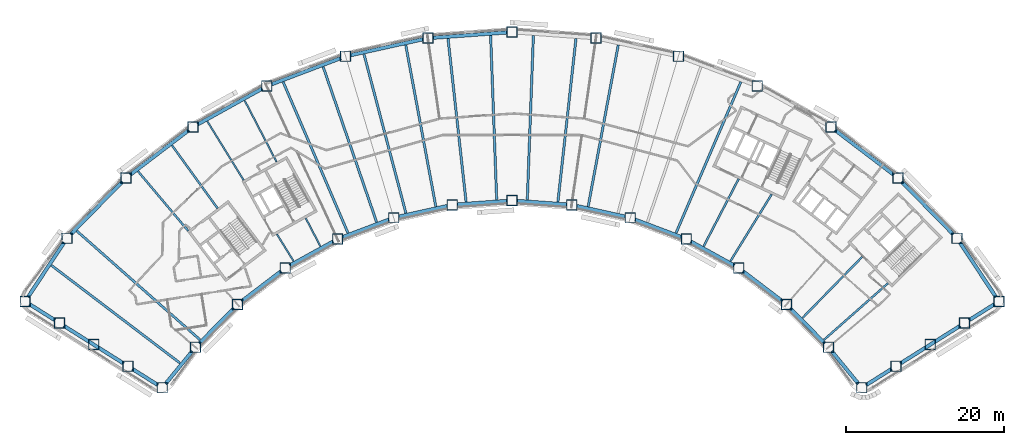
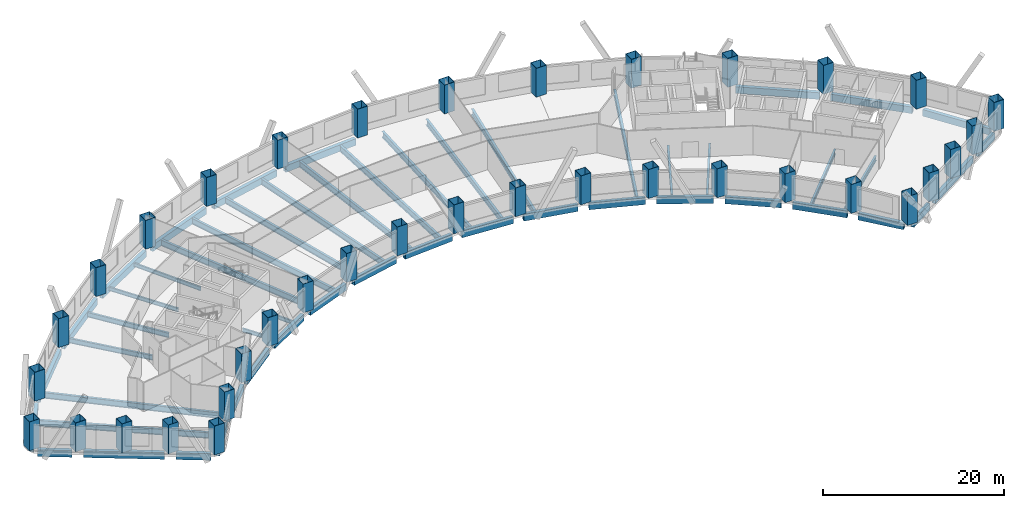
# One storey, part 1 of 11: 52 beams, 36 columns.
"""IFC4 building model written with IfcOpenShell, lengths in metres."""

from ifc_helpers import new_model, si_unit, direction, frame, origin, origin_2d, place, context, subcontext, project, spatial, hollow_rectangle, i_section, extrude, material, material_profile, profile_set, type_object, element, save


model = new_model("IFC4")

# Units and contexts
model_context = context("Model", 3, precision=1e-05, world=origin(), true_north=direction((0.0, 1.0)))
body_context = subcontext(model_context, "Body", "Model", "MODEL_VIEW")
ifc_project = project(units=[si_unit("LENGTHUNIT", "METRE"), si_unit("AREAUNIT", "SQUARE_METRE"), si_unit("VOLUMEUNIT", "CUBIC_METRE"), si_unit("PLANEANGLEUNIT", "RADIAN"), si_unit("MASSUNIT", "GRAM", prefix="KILO")], contexts=[model_context])

# Site, building, storey
site_placement = place(None, origin())
site = spatial("IfcSite", under=ifc_project, at=site_placement, CompositionType="ELEMENT")
building_placement = place(site_placement, origin())
building = spatial("IfcBuilding", under=site, at=building_placement, Name="Tuul Gate Civic Tower", CompositionType="ELEMENT")
storey_placement = place(building_placement, frame((0.0, 0.0, 48.300048828125)))
storey = spatial("IfcBuildingStorey", under=building, at=storey_placement, Name="Level 10", CompositionType="ELEMENT", Elevation=48.300048828125)

# Columns
ifc_material_1 = material(Name="Steel S355", Category="steel")
ifc_material_profile_1 = material_profile(ifc_material_1, hollow_rectangle(XDim=1.300048828125, YDim=1.300048828125, WallThickness=0.0400390625, at=origin_2d()), Name="BOX1300x1300x40")
ifc_profile_set_1 = profile_set([ifc_material_profile_1], Name="Steel S355")
column_type = type_object("IfcColumnType", Name="STR-COLUMN-BOX1300x1300x40", PredefinedType="COLUMN", material=ifc_profile_set_1)
for number, where, z_axis, x_axis, name in (
    (1, (61.6708984375, -20.22998046875, 0.0), (0.0, 0.0, 1.0), (1.0, 0.0, 0.0), "Column"),
    (2, (56.3720703125, -12.217041015625, 0.0), (0.0, 0.0, 1.0), (1.0, 0.0, 0.0), "Column"),
    (3, (48.89794921875, -4.592041015625, 0.0), (0.0, 0.0, 1.0), (1.0, 0.0, 0.0), "Column"),
    (4, (40.402099609375, 1.8759765625, 0.0), (0.0, 0.0, 1.0), (1.0, 0.0, 0.0), "Column"),
    (5, (31.06396484375, 7.052001953125, 0.0), (0.0, 0.0, 1.0), (1.0, 0.0, 0.0), "Column"),
    (6, (21.076904296875, 10.8291015625, 0.0), (0.0, 0.0, 1.0), (1.0, 0.0, 0.0), "Column"),
    (7, (10.64892578125, 13.126953125, 0.0), (0.0, 0.0, 1.0), (1.0, 0.0, 0.0), "Column"),
    (8, (0.0, 13.89794921875, 0.0), (0.0, 0.0, 1.0), (1.0, 0.0, 0.0), "Column"),
    (9, (-10.64892578125, 13.126953125, 0.0), (0.0, 0.0, 1.0), (1.0, 0.0, 0.0), "Column"),
    (10, (-21.076904296875, 10.8291015625, 0.0), (0.0, 0.0, 1.0), (1.0, 0.0, 0.0), "Column"),
    (11, (-31.06396484375, 7.052001953125, 0.0), (0.0, 0.0, 1.0), (1.0, 0.0, 0.0), "Column"),
    (12, (-40.402099609375, 1.8759765625, 0.0), (0.0, 0.0, 1.0), (1.0, 0.0, 0.0), "Column"),
    (13, (-48.89794921875, -4.592041015625, 0.0), (0.0, 0.0, 1.0), (1.0, 0.0, 0.0), "Column"),
    (14, (-56.3720703125, -12.217041015625, 0.0), (0.0, 0.0, 1.0), (1.0, 0.0, 0.0), "Column"),
    (15, (-61.6708984375, -20.22998046875, 0.0), (0.0, 0.0, 1.0), (1.0, 0.0, 0.0), "Column"),
    (16, (-57.327880859375, -22.964111328125, 0.0), (0.0, 0.0, 1.0), (1.0, 0.0, 0.0), "Column"),
    (17, (-52.986083984375, -25.698974609375, 0.0), (0.0, 0.0, 1.0), (1.0, 0.0, 0.0), "Column"),
    (18, (-48.64306640625, -28.43408203125, 0.0), (0.0, 0.0, 1.0), (1.0, 0.0, 0.0), "Column"),
    (19, (-44.301025390625, -31.16796875, 0.0), (0.0, 0.0, 1.0), (1.0, 0.0, 0.0), "Column"),
    (20, (-40.0810546875, -26.02587890625, 0.0), (0.0, 0.0, 1.0), (1.0, 0.0, 0.0), "Column"),
    (21, (-34.76708984375, -20.60498046875, 0.0), (0.0, 0.0, 1.0), (1.0, 0.0, 0.0), "Column"),
    (22, (-28.72705078125, -16.006103515625, 0.0), (0.0, 0.0, 1.0), (1.0, 0.0, 0.0), "Column"),
    (23, (-22.0869140625, -12.324951171875, 0.0), (0.0, 0.0, 1.0), (1.0, 0.0, 0.0), "Column"),
    (24, (-14.986083984375, -9.639892578125, 0.0), (0.0, 0.0, 1.0), (1.0, 0.0, 0.0), "Column"),
    (25, (-7.572021484375, -8.006103515625, 0.0), (0.0, 0.0, 1.0), (1.0, 0.0, 0.0), "Column"),
    (26, (0.0, -7.45703125, 0.0), (0.0, 0.0, 1.0), (1.0, 0.0, 0.0), "Column"),
    (27, (7.572021484375, -8.006103515625, 0.0), (0.0, 0.0, 1.0), (1.0, 0.0, 0.0), "Column"),
    (28, (14.986083984375, -9.639892578125, 0.0), (0.0, 0.0, 1.0), (1.0, 0.0, 0.0), "Column"),
    (29, (22.0869140625, -12.324951171875, 0.0), (0.0, 0.0, 1.0), (1.0, 0.0, 0.0), "Column"),
    (30, (28.72705078125, -16.006103515625, 0.0), (0.0, 0.0, 1.0), (1.0, 0.0, 0.0), "Column"),
    (31, (34.76708984375, -20.60498046875, 0.0), (0.0, 0.0, 1.0), (1.0, 0.0, 0.0), "Column"),
    (32, (40.0810546875, -26.02587890625, 0.0), (0.0, 0.0, 1.0), (1.0, 0.0, 0.0), "Column"),
    (33, (44.301025390625, -31.16796875, 0.0), (0.0, 0.0, 1.0), (1.0, 0.0, 0.0), "Column"),
    (34, (48.64306640625, -28.43408203125, 0.0), (0.0, 0.0, 1.0), (1.0, 0.0, 0.0), "Column"),
    (35, (52.986083984375, -25.698974609375, 0.0), (0.0, 0.0, 1.0), (1.0, 0.0, 0.0), "Column"),
    (36, (57.327880859375, -22.964111328125, 0.0), (0.0, 0.0, 1.0), (1.0, 0.0, 0.0), "Column"),
):
    element("IfcColumn", number, at=place(storey_placement, frame(where, z_axis=z_axis, x_axis=x_axis)), inside=storey, type_object=column_type, Name=name, PredefinedType="COLUMN", context=body_context, shape_type="SweptSolid", body=[
        extrude(hollow_rectangle(XDim=1.300048828125, YDim=1.300048828125, WallThickness=0.0400390625, at=origin_2d()), origin(), (0.0, 0.0, 1.0), 3.89990234375),
    ])

# Beams
ifc_material_2 = material(Name="Steel S355", Category="steel")
ifc_material_profile_2 = material_profile(ifc_material_2, i_section(OverallWidth=0.199951171875, OverallDepth=0.5, WebThickness=0.010009765625, FlangeThickness=0.01611328125, at=origin_2d()), Name="PG500x200x10x16")
ifc_profile_set_2 = profile_set([ifc_material_profile_2], Name="Steel S355")
beam_type_1 = type_object("IfcBeamType", Name="STR-FLOOR BEAM-PG500x200x10x16", PredefinedType="BEAM", material=ifc_profile_set_2)
beam_1_placement = place(storey_placement, frame((-24.271484375, -13.25, -0.550048828125), z_axis=(-0.460753800017, 0.887527991541, 0.0), x_axis=(-0.887527991541, -0.460753800017, 0.0)))
element("IfcBeam", 37, at=beam_1_placement, inside=storey, type_object=beam_type_1, Name="Floor beam", PredefinedType="BEAM", context=body_context, shape_type="SweptSolid", body=[
    extrude(i_section(OverallWidth=0.199951171875, OverallDepth=0.5, WebThickness=0.010009765625, FlangeThickness=0.01611328125, at=origin_2d()), origin(), (0.0, 0.0, 1.0), 4.03076171875),
])
beam_2_placement = place(storey_placement, frame((-29.816162109375, -2.570068359375, -0.550048828125), z_axis=(-0.460796303888, 0.887505924669, 0.0), x_axis=(-0.887505924669, -0.460796303888, 0.0)))
element("IfcBeam", 38, at=beam_2_placement, inside=storey, type_object=beam_type_1, Name="Floor beam", PredefinedType="BEAM", context=body_context, shape_type="SweptSolid", body=[
    extrude(i_section(OverallWidth=0.199951171875, OverallDepth=0.5, WebThickness=0.010009765625, FlangeThickness=0.01611328125, at=origin_2d()), origin(), (0.0, 0.0, 1.0), 8.77392578125),
])
beam_3_placement = place(storey_placement, frame((-27.666015625, -15.132080078125, -0.550048828125), z_axis=(-0.52482658642, 0.851209171818, 0.0), x_axis=(-0.851209171818, -0.52482658642, 0.0)))
element("IfcBeam", 39, at=beam_3_placement, inside=storey, type_object=beam_type_1, Name="Floor beam", PredefinedType="BEAM", context=body_context, shape_type="SweptSolid", body=[
    extrude(i_section(OverallWidth=0.199951171875, OverallDepth=0.5, WebThickness=0.010009765625, FlangeThickness=0.01611328125, at=origin_2d()), origin(), (0.0, 0.0, 1.0), 4.0341796875),
])
beam_4_placement = place(storey_placement, frame((-33.986572265625, -4.881591796875, -0.550048828125), z_axis=(-0.524852775892, 0.851193023725, 0.0), x_axis=(-0.851193023725, -0.524852775892, 0.0)))
element("IfcBeam", 40, at=beam_4_placement, inside=storey, type_object=beam_type_1, Name="Floor beam", PredefinedType="BEAM", context=body_context, shape_type="SweptSolid", body=[
    extrude(i_section(OverallWidth=0.199951171875, OverallDepth=0.5, WebThickness=0.010009765625, FlangeThickness=0.01611328125, at=origin_2d()), origin(), (0.0, 0.0, 1.0), 8.77978515625),
])
ifc_material_3 = material(Name="Steel S355", Category="steel")
ifc_material_profile_3 = material_profile(ifc_material_3, i_section(OverallWidth=0.25, OverallDepth=0.64990234375, WebThickness=0.011962890625, FlangeThickness=0.02001953125, at=origin_2d()), Name="PG650x250x12x20")
ifc_profile_set_3 = profile_set([ifc_material_profile_3], Name="Steel S355")
beam_type_2 = type_object("IfcBeamType", Name="STR-FLOOR BEAM-PG650x250x12x20", PredefinedType="BEAM", material=ifc_profile_set_3)
beam_5_placement = place(storey_placement, frame((39.515625, -25.092041015625, -0.625), z_axis=(0.749453803996, 0.662056640836, 0.0), x_axis=(-0.662056640836, 0.749453803996, 0.0)))
element("IfcBeam", 41, at=beam_5_placement, inside=storey, type_object=beam_type_2, Name="Floor beam", PredefinedType="BEAM", context=body_context, shape_type="SweptSolid", body=[
    extrude(i_section(OverallWidth=0.25, OverallDepth=0.64990234375, WebThickness=0.011962890625, FlangeThickness=0.02001953125, at=origin_2d()), origin(), (0.0, 0.0, 1.0), 10.819091796875),
])
beam_6_placement = place(storey_placement, frame((36.79833984375, -22.320068359375, -0.625), z_axis=(0.69867607041, 0.71543815151, 0.0), x_axis=(-0.71543815151, 0.69867607041, 0.0)))
element("IfcBeam", 42, at=beam_6_placement, inside=storey, type_object=beam_type_2, Name="Floor beam", PredefinedType="BEAM", context=body_context, shape_type="SweptSolid", body=[
    extrude(i_section(OverallWidth=0.25, OverallDepth=0.64990234375, WebThickness=0.011962890625, FlangeThickness=0.02001953125, at=origin_2d()), origin(), (0.0, 0.0, 1.0), 10.807373046875),
])
beam_7_placement = place(storey_placement, frame((27.666015625, -15.132080078125, -0.625), z_axis=(0.524860290861, 0.851188389886, 0.0), x_axis=(-0.851188389886, 0.524860290861, 0.0)))
element("IfcBeam", 43, at=beam_7_placement, inside=storey, type_object=beam_type_2, Name="Floor beam", PredefinedType="BEAM", context=body_context, shape_type="SweptSolid", body=[
    extrude(i_section(OverallWidth=0.25, OverallDepth=0.64990234375, WebThickness=0.011962890625, FlangeThickness=0.02001953125, at=origin_2d()), origin(), (0.0, 0.0, 1.0), 9.960693359375),
])
beam_8_placement = place(storey_placement, frame((24.271484375, -13.25, -0.625), z_axis=(0.460769194318, 0.887519999531, 0.0), x_axis=(-0.887519999531, 0.460769194318, 0.0)))
element("IfcBeam", 44, at=beam_8_placement, inside=storey, type_object=beam_type_2, Name="Floor beam", PredefinedType="BEAM", context=body_context, shape_type="SweptSolid", body=[
    extrude(i_section(OverallWidth=0.25, OverallDepth=0.64990234375, WebThickness=0.011962890625, FlangeThickness=0.02001953125, at=origin_2d()), origin(), (0.0, 0.0, 1.0), 9.631103515625),
])
beam_9_placement = place(storey_placement, frame((-37.289794921875, -8.447265625, -0.625), z_axis=(-0.586084828099, 0.810249698717, 0.0), x_axis=(-0.810249698717, -0.586084828099, 0.0)))
element("IfcBeam", 45, at=beam_9_placement, inside=storey, type_object=beam_type_2, Name="Floor beam", PredefinedType="BEAM", context=body_context, shape_type="SweptSolid", body=[
    extrude(i_section(OverallWidth=0.25, OverallDepth=0.64990234375, WebThickness=0.011962890625, FlangeThickness=0.02001953125, at=origin_2d()), origin(), (0.0, 0.0, 1.0), 9.85205078125),
])
beam_10_placement = place(storey_placement, frame((-41.0205078125, -11.28759765625, -0.625), z_axis=(-0.64412583455, 0.764919544308, 0.0), x_axis=(-0.764919544308, -0.64412583455, 0.0)))
element("IfcBeam", 46, at=beam_10_placement, inside=storey, type_object=beam_type_2, Name="Floor beam", PredefinedType="BEAM", context=body_context, shape_type="SweptSolid", body=[
    extrude(i_section(OverallWidth=0.25, OverallDepth=0.64990234375, WebThickness=0.011962890625, FlangeThickness=0.02001953125, at=origin_2d()), origin(), (0.0, 0.0, 1.0), 9.861083984375),
])
ifc_material_4 = material(Name="Steel S355", Category="steel")
ifc_material_profile_4 = material_profile(ifc_material_4, i_section(OverallWidth=0.300048828125, OverallDepth=0.800048828125, WebThickness=0.013916015625, FlangeThickness=0.02490234375, at=origin_2d()), Name="PG800x300x14x25")
ifc_profile_set_4 = profile_set([ifc_material_profile_4], Name="Steel S355")
beam_type_3 = type_object("IfcBeamType", Name="STR-FLOOR BEAM-PG800x300x14x25", PredefinedType="BEAM", material=ifc_profile_set_4)
beam_11_placement = place(storey_placement, frame((20.776611328125, -11.562255859375, -0.699951171875), z_axis=(0.394196672068, 0.91902610612, 0.0), x_axis=(-0.91902610612, 0.394196672068, 0.0)))
element("IfcBeam", 47, at=beam_11_placement, inside=storey, type_object=beam_type_3, Name="Floor beam", PredefinedType="BEAM", context=body_context, shape_type="SweptSolid", body=[
    extrude(i_section(OverallWidth=0.300048828125, OverallDepth=0.800048828125, WebThickness=0.013916015625, FlangeThickness=0.02490234375, at=origin_2d()), origin(), (0.0, 0.0, 1.0), 20.819580078125),
])
beam_12_placement = place(storey_placement, frame((9.6484375, -8.207763671875, -0.699951171875), z_axis=(0.183147342328, 0.98308547492, 0.0), x_axis=(-0.98308547492, 0.183147342328, 0.0)))
element("IfcBeam", 48, at=beam_12_placement, inside=storey, type_object=beam_type_3, Name="Floor beam", PredefinedType="BEAM", context=body_context, shape_type="SweptSolid", body=[
    extrude(i_section(OverallWidth=0.300048828125, OverallDepth=0.800048828125, WebThickness=0.013916015625, FlangeThickness=0.02490234375, at=origin_2d()), origin(), (0.0, 0.0, 1.0), 20.811279296875),
])
beam_13_placement = place(storey_placement, frame((5.811279296875, -7.627685546875, -0.699951171875), z_axis=(0.110288630292, 0.993899601584, 0.0), x_axis=(-0.993899601584, 0.110288630292, 0.0)))
element("IfcBeam", 49, at=beam_13_placement, inside=storey, type_object=beam_type_3, Name="Floor beam", PredefinedType="BEAM", context=body_context, shape_type="SweptSolid", body=[
    extrude(i_section(OverallWidth=0.300048828125, OverallDepth=0.800048828125, WebThickness=0.013916015625, FlangeThickness=0.02490234375, at=origin_2d()), origin(), (0.0, 0.0, 1.0), 20.81494140625),
])
for number, where, z_axis, x_axis, name in (
    (50, (1.9404296875, -7.346923828125, -0.699951171875), (0.036822059508, 0.999321838015, 0.0), (-0.999321838015, 0.036822059508, 0.0), "Floor beam"),
    (51, (-1.9404296875, -7.346923828125, -0.699951171875), (-0.036822059508, 0.999321838015, 0.0), (-0.999321838015, -0.036822059508, 0.0), "Floor beam"),
):
    element("IfcBeam", number, at=place(storey_placement, frame(where, z_axis=z_axis, x_axis=x_axis)), inside=storey, type_object=beam_type_3, Name=name, PredefinedType="BEAM", context=body_context, shape_type="SweptSolid", body=[
        extrude(i_section(OverallWidth=0.300048828125, OverallDepth=0.800048828125, WebThickness=0.013916015625, FlangeThickness=0.02490234375, at=origin_2d()), origin(), (0.0, 0.0, 1.0), 20.8125),
    ])
beam_14_placement = place(storey_placement, frame((-5.811279296875, -7.627685546875, -0.699951171875), z_axis=(-0.110288630292, 0.993899601584, 0.0), x_axis=(-0.993899601584, -0.110288630292, 0.0)))
element("IfcBeam", 52, at=beam_14_placement, inside=storey, type_object=beam_type_3, Name="Floor beam", PredefinedType="BEAM", context=body_context, shape_type="SweptSolid", body=[
    extrude(i_section(OverallWidth=0.300048828125, OverallDepth=0.800048828125, WebThickness=0.013916015625, FlangeThickness=0.02490234375, at=origin_2d()), origin(), (0.0, 0.0, 1.0), 20.81494140625),
])
beam_15_placement = place(storey_placement, frame((-9.6484375, -8.207763671875, -0.699951171875), z_axis=(-0.183147342328, 0.98308547492, 0.0), x_axis=(-0.98308547492, -0.183147342328, 0.0)))
element("IfcBeam", 53, at=beam_15_placement, inside=storey, type_object=beam_type_3, Name="Floor beam", PredefinedType="BEAM", context=body_context, shape_type="SweptSolid", body=[
    extrude(i_section(OverallWidth=0.300048828125, OverallDepth=0.800048828125, WebThickness=0.013916015625, FlangeThickness=0.02490234375, at=origin_2d()), origin(), (0.0, 0.0, 1.0), 20.811279296875),
])
beam_16_placement = place(storey_placement, frame((-13.438720703125, -9.04296875, -0.699951171875), z_axis=(-0.255004720301, 0.96693980817, 0.0), x_axis=(-0.96693980817, -0.255004720301, 0.0)))
element("IfcBeam", 54, at=beam_16_placement, inside=storey, type_object=beam_type_3, Name="Floor beam", PredefinedType="BEAM", context=body_context, shape_type="SweptSolid", body=[
    extrude(i_section(OverallWidth=0.300048828125, OverallDepth=0.800048828125, WebThickness=0.013916015625, FlangeThickness=0.02490234375, at=origin_2d()), origin(), (0.0, 0.0, 1.0), 20.817626953125),
])
beam_17_placement = place(storey_placement, frame((-17.146240234375, -10.189453125, -0.699951171875), z_axis=(-0.325486974479, 0.945546524209, 0.0), x_axis=(-0.945546524209, -0.325486974479, 0.0)))
element("IfcBeam", 55, at=beam_17_placement, inside=storey, type_object=beam_type_3, Name="Floor beam", PredefinedType="BEAM", context=body_context, shape_type="SweptSolid", body=[
    extrude(i_section(OverallWidth=0.300048828125, OverallDepth=0.800048828125, WebThickness=0.013916015625, FlangeThickness=0.02490234375, at=origin_2d()), origin(), (0.0, 0.0, 1.0), 20.809326171875),
])
beam_18_placement = place(storey_placement, frame((-20.776611328125, -11.562255859375, -0.699951171875), z_axis=(-0.394196672068, 0.91902610612, 0.0), x_axis=(-0.91902610612, -0.394196672068, 0.0)))
element("IfcBeam", 56, at=beam_18_placement, inside=storey, type_object=beam_type_3, Name="Floor beam", PredefinedType="BEAM", context=body_context, shape_type="SweptSolid", body=[
    extrude(i_section(OverallWidth=0.300048828125, OverallDepth=0.800048828125, WebThickness=0.013916015625, FlangeThickness=0.02490234375, at=origin_2d()), origin(), (0.0, 0.0, 1.0), 20.819580078125),
])
beam_19_placement = place(storey_placement, frame((-39.515625, -25.092041015625, -0.699951171875), z_axis=(-0.749453243269, 0.662057275584, 0.0), x_axis=(-0.662057275584, -0.749453243269, 0.0)))
element("IfcBeam", 57, at=beam_19_placement, inside=storey, type_object=beam_type_3, Name="Floor beam", PredefinedType="BEAM", context=body_context, shape_type="SweptSolid", body=[
    extrude(i_section(OverallWidth=0.300048828125, OverallDepth=0.800048828125, WebThickness=0.013916015625, FlangeThickness=0.02490234375, at=origin_2d()), origin(), (0.0, 0.0, 1.0), 20.828369140625),
])
beam_20_placement = place(storey_placement, frame((-42.0546875, -28.036865234375, -0.699951171875), z_axis=(-0.796150928405, 0.60509809056, 0.0), x_axis=(-0.60509809056, -0.796150928405, 0.0)))
element("IfcBeam", 58, at=beam_20_placement, inside=storey, type_object=beam_type_3, Name="Floor beam", PredefinedType="BEAM", context=body_context, shape_type="SweptSolid", body=[
    extrude(i_section(OverallWidth=0.300048828125, OverallDepth=0.800048828125, WebThickness=0.013916015625, FlangeThickness=0.02490234375, at=origin_2d()), origin(), (0.0, 0.0, 1.0), 20.462646484375),
])
ifc_material_5 = material(Name="Steel S355", Category="steel")
ifc_material_profile_5 = material_profile(ifc_material_5, hollow_rectangle(XDim=0.449951171875, YDim=0.89990234375, WallThickness=0.02490234375, at=origin_2d()), Name="BOX900x450x25")
ifc_profile_set_5 = profile_set([ifc_material_profile_5], Name="Steel S355")
beam_type_4 = type_object("IfcBeamType", Name="STR-SPANDREL BEAM-BOX900x450x25", PredefinedType="BEAM", material=ifc_profile_set_5)
beam_21_placement = place(storey_placement, frame((61.3125, -19.687744140625, -0.75), z_axis=(-0.551617087086, 0.834097469865, 0.0), x_axis=(-0.834097469865, -0.551617087086, 0.0)))
element("IfcBeam", 59, at=beam_21_placement, inside=storey, type_object=beam_type_4, Name="Spandrel beam", PredefinedType="BEAM", context=body_context, shape_type="SweptSolid", body=[
    extrude(hollow_rectangle(XDim=0.449951171875, YDim=0.89990234375, WallThickness=0.02490234375, at=origin_2d()), origin(), (0.0, 0.0, 1.0), 8.306640625),
])
beam_22_placement = place(storey_placement, frame((55.9169921875, -11.752685546875, -0.75), z_axis=(-0.700002686238, 0.714140209805, 0.0), x_axis=(-0.714140209805, -0.700002686238, 0.0)))
element("IfcBeam", 60, at=beam_22_placement, inside=storey, type_object=beam_type_4, Name="Spandrel beam", PredefinedType="BEAM", context=body_context, shape_type="SweptSolid", body=[
    extrude(hollow_rectangle(XDim=0.449951171875, YDim=0.89990234375, WallThickness=0.02490234375, at=origin_2d()), origin(), (0.0, 0.0, 1.0), 9.376953125),
])
beam_23_placement = place(storey_placement, frame((48.380859375, -4.1982421875, -0.75), z_axis=(-0.795671303352, 0.605728633154, 0.0), x_axis=(-0.605728633154, -0.795671303352, 0.0)))
element("IfcBeam", 61, at=beam_23_placement, inside=storey, type_object=beam_type_4, Name="Spandrel beam", PredefinedType="BEAM", context=body_context, shape_type="SweptSolid", body=[
    extrude(hollow_rectangle(XDim=0.449951171875, YDim=0.89990234375, WallThickness=0.02490234375, at=origin_2d()), origin(), (0.0, 0.0, 1.0), 9.3779296875),
])
beam_24_placement = place(storey_placement, frame((-0.648193359375, 13.85107421875, -0.75), z_axis=(-0.997388439542, -0.072223961869, 0.0), x_axis=(0.072223961869, -0.997388439542, 0.0)))
element("IfcBeam", 62, at=beam_24_placement, inside=storey, type_object=beam_type_4, Name="Spandrel beam", PredefinedType="BEAM", context=body_context, shape_type="SweptSolid", body=[
    extrude(hollow_rectangle(XDim=0.449951171875, YDim=0.89990234375, WallThickness=0.02490234375, at=origin_2d()), origin(), (0.0, 0.0, 1.0), 9.376953125),
])
beam_25_placement = place(storey_placement, frame((-11.28369140625, 12.987060546875, -0.75), z_axis=(-0.976572630495, -0.215188051174, 0.0), x_axis=(0.215188051174, -0.976572630495, 0.0)))
element("IfcBeam", 63, at=beam_25_placement, inside=storey, type_object=beam_type_4, Name="Spandrel beam", PredefinedType="BEAM", context=body_context, shape_type="SweptSolid", body=[
    extrude(hollow_rectangle(XDim=0.449951171875, YDim=0.89990234375, WallThickness=0.02490234375, at=origin_2d()), origin(), (0.0, 0.0, 1.0), 9.378173828125),
])
beam_26_placement = place(storey_placement, frame((-21.68505859375, 10.59912109375, -0.75), z_axis=(-0.935343306637, -0.353741287849, 0.0), x_axis=(0.353741287849, -0.935343306637, 0.0)))
element("IfcBeam", 64, at=beam_26_placement, inside=storey, type_object=beam_type_4, Name="Spandrel beam", PredefinedType="BEAM", context=body_context, shape_type="SweptSolid", body=[
    extrude(hollow_rectangle(XDim=0.449951171875, YDim=0.89990234375, WallThickness=0.02490234375, at=origin_2d()), origin(), (0.0, 0.0, 1.0), 9.377197265625),
])
beam_27_placement = place(storey_placement, frame((-31.632568359375, 6.73681640625, -0.75), z_axis=(-0.874628488078, -0.484793778676, 0.0), x_axis=(0.484793778676, -0.874628488078, 0.0)))
element("IfcBeam", 65, at=beam_27_placement, inside=storey, type_object=beam_type_4, Name="Spandrel beam", PredefinedType="BEAM", context=body_context, shape_type="SweptSolid", body=[
    extrude(hollow_rectangle(XDim=0.449951171875, YDim=0.89990234375, WallThickness=0.02490234375, at=origin_2d()), origin(), (0.0, 0.0, 1.0), 9.37646484375),
])
beam_28_placement = place(storey_placement, frame((-40.919189453125, 1.482177734375, -0.75), z_axis=(-0.795671303352, -0.605728633154, 0.0), x_axis=(0.605728633154, -0.795671303352, 0.0)))
element("IfcBeam", 66, at=beam_28_placement, inside=storey, type_object=beam_type_4, Name="Spandrel beam", PredefinedType="BEAM", context=body_context, shape_type="SweptSolid", body=[
    extrude(hollow_rectangle(XDim=0.449951171875, YDim=0.89990234375, WallThickness=0.02490234375, at=origin_2d()), origin(), (0.0, 0.0, 1.0), 9.3779296875),
])
beam_29_placement = place(storey_placement, frame((-49.35302734375, -5.05615234375, -0.75), z_axis=(-0.700002686238, -0.714140209805, 0.0), x_axis=(0.714140209805, -0.700002686238, 0.0)))
element("IfcBeam", 67, at=beam_29_placement, inside=storey, type_object=beam_type_4, Name="Spandrel beam", PredefinedType="BEAM", context=body_context, shape_type="SweptSolid", body=[
    extrude(hollow_rectangle(XDim=0.449951171875, YDim=0.89990234375, WallThickness=0.02490234375, at=origin_2d()), origin(), (0.0, 0.0, 1.0), 9.376953125),
])
beam_30_placement = place(storey_placement, frame((-56.73046875, -12.75927734375, -0.75), z_axis=(-0.551617087086, -0.834097469865, 0.0), x_axis=(0.834097469865, -0.551617087086, 0.0)))
element("IfcBeam", 68, at=beam_30_placement, inside=storey, type_object=beam_type_4, Name="Spandrel beam", PredefinedType="BEAM", context=body_context, shape_type="SweptSolid", body=[
    extrude(hollow_rectangle(XDim=0.449951171875, YDim=0.89990234375, WallThickness=0.02490234375, at=origin_2d()), origin(), (0.0, 0.0, 1.0), 8.306640625),
])
beam_31_placement = place(storey_placement, frame((-61.120849609375, -20.576171875, -0.75), z_axis=(0.84625411926, -0.53277947186, 0.0), x_axis=(0.53277947186, 0.84625411926, 0.0)))
element("IfcBeam", 69, at=beam_31_placement, inside=storey, type_object=beam_type_4, Name="Spandrel beam", PredefinedType="BEAM", context=body_context, shape_type="SweptSolid", body=[
    extrude(hollow_rectangle(XDim=0.449951171875, YDim=0.89990234375, WallThickness=0.02490234375, at=origin_2d()), origin(), (0.0, 0.0, 1.0), 3.831787109375),
])
beam_32_placement = place(storey_placement, frame((-56.778076171875, -23.310302734375, -0.75), z_axis=(0.846150963227, -0.532943287255, 0.0), x_axis=(0.532943287255, 0.846150963227, 0.0)))
element("IfcBeam", 70, at=beam_32_placement, inside=storey, type_object=beam_type_4, Name="Spandrel beam", PredefinedType="BEAM", context=body_context, shape_type="SweptSolid", body=[
    extrude(hollow_rectangle(XDim=0.449951171875, YDim=0.89990234375, WallThickness=0.02490234375, at=origin_2d()), origin(), (0.0, 0.0, 1.0), 8.964111328125),
])
beam_33_placement = place(storey_placement, frame((-48.093017578125, -28.7802734375, -0.75), z_axis=(0.846199849372, -0.532865663111, 0.0), x_axis=(0.532865663111, 0.846199849372, 0.0)))
element("IfcBeam", 71, at=beam_33_placement, inside=storey, type_object=beam_type_4, Name="Spandrel beam", PredefinedType="BEAM", context=body_context, shape_type="SweptSolid", body=[
    extrude(hollow_rectangle(XDim=0.449951171875, YDim=0.89990234375, WallThickness=0.02490234375, at=origin_2d()), origin(), (0.0, 0.0, 1.0), 3.831298828125),
])
beam_34_placement = place(storey_placement, frame((-43.888671875, -30.66552734375, -0.75), z_axis=(0.634409581781, 0.772997077966, 0.0), x_axis=(-0.772997077966, 0.634409581781, 0.0)))
element("IfcBeam", 72, at=beam_34_placement, inside=storey, type_object=beam_type_4, Name="Spandrel beam", PredefinedType="BEAM", context=body_context, shape_type="SweptSolid", body=[
    extrude(hollow_rectangle(XDim=0.449951171875, YDim=0.89990234375, WallThickness=0.02490234375, at=origin_2d()), origin(), (0.0, 0.0, 1.0), 5.351806640625),
])
beam_35_placement = place(storey_placement, frame((-39.6259765625, -25.561767578125, -0.75), z_axis=(0.700028343012, 0.714115060043, 0.0), x_axis=(-0.714115060043, 0.700028343012, 0.0)))
element("IfcBeam", 73, at=beam_35_placement, inside=storey, type_object=beam_type_4, Name="Spandrel beam", PredefinedType="BEAM", context=body_context, shape_type="SweptSolid", body=[
    extrude(hollow_rectangle(XDim=0.449951171875, YDim=0.89990234375, WallThickness=0.02490234375, at=origin_2d()), origin(), (0.0, 0.0, 1.0), 6.291259765625),
])
beam_36_placement = place(storey_placement, frame((-34.249755859375, -20.211181640625, -0.75), z_axis=(0.795606278915, 0.605814038259, 0.0), x_axis=(-0.605814038259, 0.795606278915, 0.0)))
element("IfcBeam", 74, at=beam_36_placement, inside=storey, type_object=beam_type_4, Name="Spandrel beam", PredefinedType="BEAM", context=body_context, shape_type="SweptSolid", body=[
    extrude(hollow_rectangle(XDim=0.449951171875, YDim=0.89990234375, WallThickness=0.02490234375, at=origin_2d()), origin(), (0.0, 0.0, 1.0), 6.29150390625),
])
beam_37_placement = place(storey_placement, frame((-28.158447265625, -15.69091796875, -0.75), z_axis=(0.874588873098, 0.484865242158, 0.0), x_axis=(-0.484865242158, 0.874588873098, 0.0)))
element("IfcBeam", 75, at=beam_37_placement, inside=storey, type_object=beam_type_4, Name="Spandrel beam", PredefinedType="BEAM", context=body_context, shape_type="SweptSolid", body=[
    extrude(hollow_rectangle(XDim=0.449951171875, YDim=0.89990234375, WallThickness=0.02490234375, at=origin_2d()), origin(), (0.0, 0.0, 1.0), 6.2919921875),
])
beam_38_placement = place(storey_placement, frame((-21.47900390625, -12.09521484375, -0.75), z_axis=(0.93536086851, 0.353694848225, 0.0), x_axis=(-0.353694848225, 0.93536086851, 0.0)))
element("IfcBeam", 76, at=beam_38_placement, inside=storey, type_object=beam_type_4, Name="Spandrel beam", PredefinedType="BEAM", context=body_context, shape_type="SweptSolid", body=[
    extrude(hollow_rectangle(XDim=0.449951171875, YDim=0.89990234375, WallThickness=0.02490234375, at=origin_2d()), origin(), (0.0, 0.0, 1.0), 6.291748046875),
])
beam_39_placement = place(storey_placement, frame((-14.351318359375, -9.5, -0.75), z_axis=(0.976570802394, 0.215196347349, 0.0), x_axis=(-0.215196347349, 0.976570802394, 0.0)))
element("IfcBeam", 77, at=beam_39_placement, inside=storey, type_object=beam_type_4, Name="Spandrel beam", PredefinedType="BEAM", context=body_context, shape_type="SweptSolid", body=[
    extrude(hollow_rectangle(XDim=0.449951171875, YDim=0.89990234375, WallThickness=0.02490234375, at=origin_2d()), origin(), (0.0, 0.0, 1.0), 6.2919921875),
])
for number, where, z_axis, x_axis, name in (
    (78, (-6.923583984375, -7.958984375, -0.75), (0.997380902931, 0.072327964638, 0.0), (-0.072327964638, 0.997380902931, 0.0), "Spandrel beam"),
    (79, (0.648193359375, -7.50390625, -0.75), (0.997380902931, -0.072327964638, 0.0), (0.072327964638, 0.997380902931, 0.0), "Spandrel beam"),
):
    element("IfcBeam", number, at=place(storey_placement, frame(where, z_axis=z_axis, x_axis=x_axis)), inside=storey, type_object=beam_type_4, Name=name, PredefinedType="BEAM", context=body_context, shape_type="SweptSolid", body=[
        extrude(hollow_rectangle(XDim=0.449951171875, YDim=0.89990234375, WallThickness=0.02490234375, at=origin_2d()), origin(), (0.0, 0.0, 1.0), 6.291748046875),
    ])
beam_40_placement = place(storey_placement, frame((8.206787109375, -8.14599609375, -0.75), z_axis=(0.976570802394, -0.215196347349, 0.0), x_axis=(0.215196347349, 0.976570802394, 0.0)))
element("IfcBeam", 80, at=beam_40_placement, inside=storey, type_object=beam_type_4, Name="Spandrel beam", PredefinedType="BEAM", context=body_context, shape_type="SweptSolid", body=[
    extrude(hollow_rectangle(XDim=0.449951171875, YDim=0.89990234375, WallThickness=0.02490234375, at=origin_2d()), origin(), (0.0, 0.0, 1.0), 6.2919921875),
])
beam_41_placement = place(storey_placement, frame((15.593994140625, -9.869873046875, -0.75), z_axis=(0.93536086851, -0.353694848225, 0.0), x_axis=(0.353694848225, 0.93536086851, 0.0)))
element("IfcBeam", 81, at=beam_41_placement, inside=storey, type_object=beam_type_4, Name="Spandrel beam", PredefinedType="BEAM", context=body_context, shape_type="SweptSolid", body=[
    extrude(hollow_rectangle(XDim=0.449951171875, YDim=0.89990234375, WallThickness=0.02490234375, at=origin_2d()), origin(), (0.0, 0.0, 1.0), 6.291748046875),
])
beam_42_placement = place(storey_placement, frame((22.655517578125, -12.64013671875, -0.75), z_axis=(0.874588873098, -0.484865242158, 0.0), x_axis=(0.484865242158, 0.874588873098, 0.0)))
element("IfcBeam", 82, at=beam_42_placement, inside=storey, type_object=beam_type_4, Name="Spandrel beam", PredefinedType="BEAM", context=body_context, shape_type="SweptSolid", body=[
    extrude(hollow_rectangle(XDim=0.449951171875, YDim=0.89990234375, WallThickness=0.02490234375, at=origin_2d()), origin(), (0.0, 0.0, 1.0), 6.2919921875),
])
beam_43_placement = place(storey_placement, frame((29.244140625, -16.399658203125, -0.75), z_axis=(0.795606278915, -0.605814038259, 0.0), x_axis=(0.605814038259, 0.795606278915, 0.0)))
element("IfcBeam", 83, at=beam_43_placement, inside=storey, type_object=beam_type_4, Name="Spandrel beam", PredefinedType="BEAM", context=body_context, shape_type="SweptSolid", body=[
    extrude(hollow_rectangle(XDim=0.449951171875, YDim=0.89990234375, WallThickness=0.02490234375, at=origin_2d()), origin(), (0.0, 0.0, 1.0), 6.29150390625),
])
beam_44_placement = place(storey_placement, frame((35.221923828125, -21.069091796875, -0.75), z_axis=(0.700028343012, -0.714115060043, 0.0), x_axis=(0.714115060043, 0.700028343012, 0.0)))
element("IfcBeam", 84, at=beam_44_placement, inside=storey, type_object=beam_type_4, Name="Spandrel beam", PredefinedType="BEAM", context=body_context, shape_type="SweptSolid", body=[
    extrude(hollow_rectangle(XDim=0.449951171875, YDim=0.89990234375, WallThickness=0.02490234375, at=origin_2d()), origin(), (0.0, 0.0, 1.0), 6.291259765625),
])
beam_45_placement = place(storey_placement, frame((40.493408203125, -26.528564453125, -0.75), z_axis=(0.634409581781, -0.772997077966, 0.0), x_axis=(0.772997077966, 0.634409581781, 0.0)))
element("IfcBeam", 85, at=beam_45_placement, inside=storey, type_object=beam_type_4, Name="Spandrel beam", PredefinedType="BEAM", context=body_context, shape_type="SweptSolid", body=[
    extrude(hollow_rectangle(XDim=0.449951171875, YDim=0.89990234375, WallThickness=0.02490234375, at=origin_2d()), origin(), (0.0, 0.0, 1.0), 5.351806640625),
])
beam_46_placement = place(storey_placement, frame((44.85107421875, -30.82177734375, -0.75), z_axis=(0.846199849372, 0.532865663111, 0.0), x_axis=(-0.532865663111, 0.846199849372, 0.0)))
element("IfcBeam", 86, at=beam_46_placement, inside=storey, type_object=beam_type_4, Name="Spandrel beam", PredefinedType="BEAM", context=body_context, shape_type="SweptSolid", body=[
    extrude(hollow_rectangle(XDim=0.449951171875, YDim=0.89990234375, WallThickness=0.02490234375, at=origin_2d()), origin(), (0.0, 0.0, 1.0), 3.831298828125),
])
beam_47_placement = place(storey_placement, frame((49.193115234375, -28.087646484375, -0.75), z_axis=(0.846150963227, 0.532943287255, 0.0), x_axis=(-0.532943287255, 0.846150963227, 0.0)))
element("IfcBeam", 87, at=beam_47_placement, inside=storey, type_object=beam_type_4, Name="Spandrel beam", PredefinedType="BEAM", context=body_context, shape_type="SweptSolid", body=[
    extrude(hollow_rectangle(XDim=0.449951171875, YDim=0.89990234375, WallThickness=0.02490234375, at=origin_2d()), origin(), (0.0, 0.0, 1.0), 8.964111328125),
])
beam_48_placement = place(storey_placement, frame((57.878173828125, -22.61767578125, -0.75), z_axis=(0.84625411926, 0.53277947186, 0.0), x_axis=(-0.53277947186, 0.84625411926, 0.0)))
element("IfcBeam", 88, at=beam_48_placement, inside=storey, type_object=beam_type_4, Name="Spandrel beam", PredefinedType="BEAM", context=body_context, shape_type="SweptSolid", body=[
    extrude(hollow_rectangle(XDim=0.449951171875, YDim=0.89990234375, WallThickness=0.02490234375, at=origin_2d()), origin(), (0.0, 0.0, 1.0), 3.831787109375),
])

save(model, "model.ifc")
